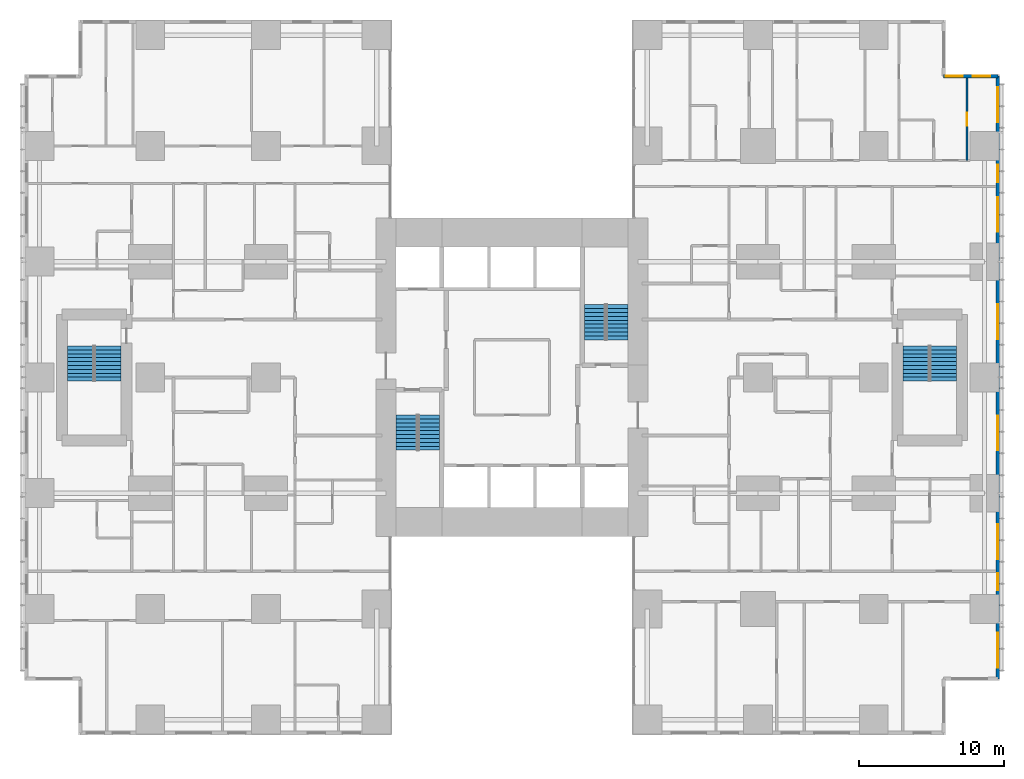
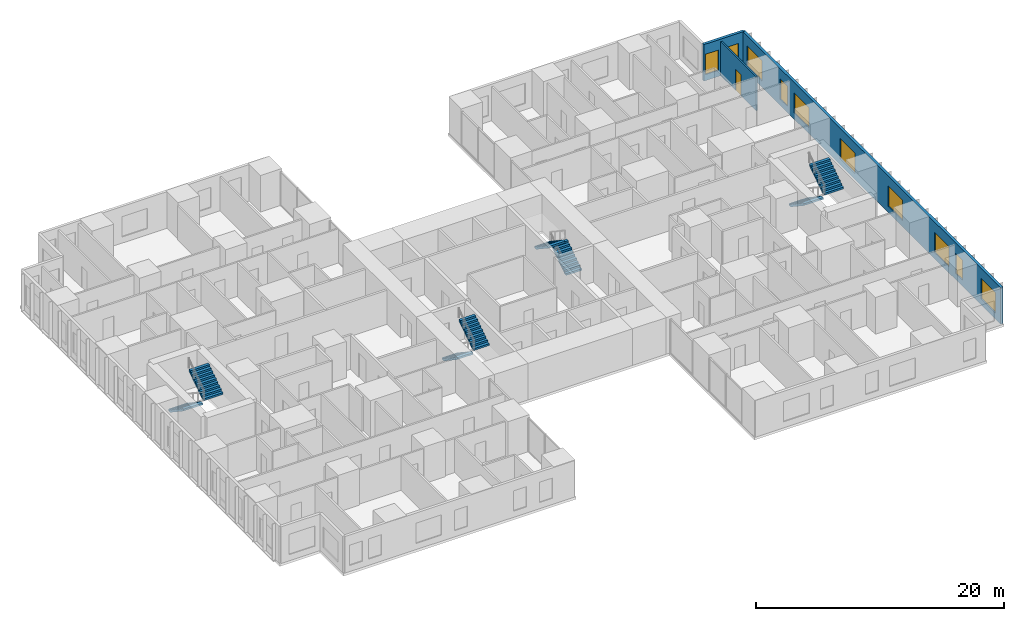
# One storey, part 19 of 20: 10 windows, 8 stair flights, 3 walls, 1 door, 11 openings, 4 elements without a shape of their own.
"""IFC4 building model written with IfcOpenShell, lengths in metres."""

from ifc_helpers import new_model, si_unit, direction, frame, frame_2d, origin, place, context, subcontext, project, spatial, polyline, rectangle, outline, extrude, material, layer, layer_set, type_object, element, fill, aggregate, save


model = new_model("IFC4")

# Units and contexts
model_context = context("Model", 3, precision=1e-05, world=origin(), true_north=direction((0.0, 1.0)))
body_context = subcontext(model_context, "Body", "Model", "MODEL_VIEW")
ifc_project = project(units=[si_unit("LENGTHUNIT", "METRE"), si_unit("AREAUNIT", "SQUARE_METRE"), si_unit("VOLUMEUNIT", "CUBIC_METRE"), si_unit("PLANEANGLEUNIT", "RADIAN"), si_unit("MASSUNIT", "GRAM", prefix="KILO")], contexts=[model_context])

# Site, building, storey
site_placement = place(None, origin())
site = spatial("IfcSite", under=ifc_project, at=site_placement, CompositionType="ELEMENT")
building_placement = place(site_placement, origin())
building = spatial("IfcBuilding", under=site, at=building_placement, Name="Cleftline Residences", CompositionType="ELEMENT")
storey_placement = place(building_placement, frame((0.0, 0.0, 62.0)))
storey = spatial("IfcBuildingStorey", under=building, at=storey_placement, Name="L15", CompositionType="ELEMENT", Elevation=62.0)

# Wall, openings, windows
ifc_material_1 = material(Name="Rendered reinforced concrete blockwork", Category="masonry")
ifc_layer_1 = layer(ifc_material_1, 0.25)
ifc_layer_set_1 = layer_set([ifc_layer_1], Name="EXTERNAL WALL 250")
wall_type_1 = type_object("IfcWallType", Name="EXTERNAL WALL 250", PredefinedType="SOLIDWALL", material=ifc_layer_set_1)
wall_1_placement = place(storey_placement, frame((66.574951171875, 3.175048828125, 0.0), z_axis=(0.0, 0.0, 1.0), x_axis=(0.0, 1.0, 0.0)))
wall_1 = element("IfcWall", 1, at=wall_1_placement, inside=storey, type_object=wall_type_1, Name="External wall", PredefinedType="SOLIDWALL", context=body_context, shape_type="SweptSolid", body=[
    extrude(rectangle(XDim=41.64990234375, YDim=0.25, at=frame_2d((20.824951171875, 0.0))), origin(), (0.0, 0.0, 1.0), 3.60009765625),
])
opening_1_placement = place(wall_1_placement, frame((0.77490234375, 0.0, 0.60009765625)))
opening_1 = element("IfcOpeningElement", 2, at=opening_1_placement, cuts=wall_1, Name="Opening W6", PredefinedType="OPENING", context=body_context, shape_type="SweptSolid", body=[
    extrude(rectangle(XDim=2.39990234375, YDim=2.0, at=frame_2d((1.199951171875, 1.0))), frame((0.0, 0.135009765625, 0.0), z_axis=(0.0, -1.0, 0.0), x_axis=(1.0, 0.0, 0.0)), (0.0, 0.0, 1.0), 0.27001953125),
])
opening_2_placement = place(wall_1_placement, frame((6.10009765625, 0.0, 0.60009765625)))
opening_2 = element("IfcOpeningElement", 3, at=opening_2_placement, cuts=wall_1, Name="Opening W8", PredefinedType="OPENING", context=body_context, shape_type="SweptSolid", body=[
    extrude(rectangle(XDim=1.199951171875, YDim=2.0, at=frame_2d((0.60009765625, 1.0))), frame((0.0, 0.135009765625, 0.0), z_axis=(0.0, -1.0, 0.0), x_axis=(1.0, 0.0, 0.0)), (0.0, 0.0, 1.0), 0.27001953125),
])
opening_3_placement = place(wall_1_placement, frame((8.27490234375, 0.0, 0.60009765625)))
opening_3 = element("IfcOpeningElement", 4, at=opening_3_placement, cuts=wall_1, Name="Opening W6", PredefinedType="OPENING", context=body_context, shape_type="SweptSolid", body=[
    extrude(rectangle(XDim=2.39990234375, YDim=2.0, at=frame_2d((1.199951171875, 1.0))), frame((0.0, 0.135009765625, 0.0), z_axis=(0.0, -1.0, 0.0), x_axis=(1.0, 0.0, 0.0)), (0.0, 0.0, 1.0), 0.27001953125),
])
opening_4_placement = place(wall_1_placement, frame((15.77490234375, 0.0, 0.60009765625)))
opening_4 = element("IfcOpeningElement", 5, at=opening_4_placement, cuts=wall_1, Name="Opening W6", PredefinedType="OPENING", context=body_context, shape_type="SweptSolid", body=[
    extrude(rectangle(XDim=2.39990234375, YDim=2.0, at=frame_2d((1.199951171875, 1.0))), frame((0.0, 0.135009765625, 0.0), z_axis=(0.0, -1.0, 0.0), x_axis=(1.0, 0.0, 0.0)), (0.0, 0.0, 1.0), 0.27001953125),
])
opening_5_placement = place(wall_1_placement, frame((23.47509765625, 0.0, 0.60009765625)))
opening_5 = element("IfcOpeningElement", 6, at=opening_5_placement, cuts=wall_1, Name="Opening W6", PredefinedType="OPENING", context=body_context, shape_type="SweptSolid", body=[
    extrude(rectangle(XDim=2.39990234375, YDim=2.0, at=frame_2d((1.199951171875, 1.0))), frame((0.0, 0.135009765625, 0.0), z_axis=(0.0, -1.0, 0.0), x_axis=(1.0, 0.0, 0.0)), (0.0, 0.0, 1.0), 0.27001953125),
])
opening_6_placement = place(wall_1_placement, frame((30.875, 0.0, 0.60009765625)))
opening_6 = element("IfcOpeningElement", 7, at=opening_6_placement, cuts=wall_1, Name="Opening W6", PredefinedType="OPENING", context=body_context, shape_type="SweptSolid", body=[
    extrude(rectangle(XDim=2.39990234375, YDim=2.0, at=frame_2d((1.199951171875, 1.0))), frame((0.0, 0.135009765625, 0.0), z_axis=(0.0, -1.0, 0.0), x_axis=(1.0, 0.0, 0.0)), (0.0, 0.0, 1.0), 0.27001953125),
])
opening_7_placement = place(wall_1_placement, frame((34.324951171875, 0.0, 0.60009765625)))
opening_7 = element("IfcOpeningElement", 8, at=opening_7_placement, cuts=wall_1, Name="Opening W8", PredefinedType="OPENING", context=body_context, shape_type="SweptSolid", body=[
    extrude(rectangle(XDim=1.199951171875, YDim=2.0, at=frame_2d((0.60009765625, 1.0))), frame((0.0, 0.135009765625, 0.0), z_axis=(0.0, -1.0, 0.0), x_axis=(1.0, 0.0, 0.0)), (0.0, 0.0, 1.0), 0.27001953125),
])
opening_8_placement = place(wall_1_placement, frame((38.47509765625, 0.0, 0.60009765625)))
opening_8 = element("IfcOpeningElement", 9, at=opening_8_placement, cuts=wall_1, Name="Opening W6", PredefinedType="OPENING", context=body_context, shape_type="SweptSolid", body=[
    extrude(rectangle(XDim=2.39990234375, YDim=2.0, at=frame_2d((1.199951171875, 1.0))), frame((0.0, 0.135009765625, 0.0), z_axis=(0.0, -1.0, 0.0), x_axis=(1.0, 0.0, 0.0)), (0.0, 0.0, 1.0), 0.27001953125),
])
ifc_material_2 = material(Name="Aluminium frame, clear double glazing", Category="aluminium")
window_type_1 = type_object("IfcWindowType", Name="WINDOW 1200X2000", PartitioningType="DOUBLE_PANEL_VERTICAL", PredefinedType="WINDOW", material=ifc_material_2)
window_1_placement = place(opening_2_placement, origin())
window_1 = element("IfcWindow", 10, at=window_1_placement, inside=storey, type_object=window_type_1, Name="Window", OverallHeight=2.0, OverallWidth=1.199951171875, PartitioningType="SINGLE_PANEL", PredefinedType="WINDOW", context=body_context, shape_type="SweptSolid", body=[
    extrude(rectangle(XDim=1.199951171875, YDim=2.0, at=frame_2d((0.60009765625, 1.0))), frame((0.0, 0.030029296875, 0.0), z_axis=(0.0, -1.0, 0.0), x_axis=(1.0, 0.0, 0.0)), (0.0, 0.0, 1.0), 0.06005859375),
])
fill(opening_2, window_1)
window_2_placement = place(opening_7_placement, origin())
window_2 = element("IfcWindow", 11, at=window_2_placement, inside=storey, type_object=window_type_1, Name="Window", OverallHeight=2.0, OverallWidth=1.199951171875, PartitioningType="SINGLE_PANEL", PredefinedType="WINDOW", context=body_context, shape_type="SweptSolid", body=[
    extrude(rectangle(XDim=1.199951171875, YDim=2.0, at=frame_2d((0.60009765625, 1.0))), frame((0.0, 0.030029296875, 0.0), z_axis=(0.0, -1.0, 0.0), x_axis=(1.0, 0.0, 0.0)), (0.0, 0.0, 1.0), 0.06005859375),
])
fill(opening_7, window_2)
ifc_material_3 = material(Name="Aluminium frame, clear double glazing", Category="aluminium")
window_type_2 = type_object("IfcWindowType", Name="WINDOW 2400X2000", PartitioningType="DOUBLE_PANEL_VERTICAL", PredefinedType="WINDOW", material=ifc_material_3)
window_3_placement = place(opening_1_placement, origin())
window_3 = element("IfcWindow", 12, at=window_3_placement, inside=storey, type_object=window_type_2, Name="Window", OverallHeight=2.0, OverallWidth=2.39990234375, PartitioningType="SINGLE_PANEL", PredefinedType="WINDOW", context=body_context, shape_type="SweptSolid", body=[
    extrude(rectangle(XDim=2.39990234375, YDim=2.0, at=frame_2d((1.199951171875, 1.0))), frame((0.0, 0.030029296875, 0.0), z_axis=(0.0, -1.0, 0.0), x_axis=(1.0, 0.0, 0.0)), (0.0, 0.0, 1.0), 0.06005859375),
])
fill(opening_1, window_3)
window_4_placement = place(opening_3_placement, origin())
window_4 = element("IfcWindow", 13, at=window_4_placement, inside=storey, type_object=window_type_2, Name="Window", OverallHeight=2.0, OverallWidth=2.39990234375, PartitioningType="SINGLE_PANEL", PredefinedType="WINDOW", context=body_context, shape_type="SweptSolid", body=[
    extrude(rectangle(XDim=2.39990234375, YDim=2.0, at=frame_2d((1.199951171875, 1.0))), frame((0.0, 0.030029296875, 0.0), z_axis=(0.0, -1.0, 0.0), x_axis=(1.0, 0.0, 0.0)), (0.0, 0.0, 1.0), 0.06005859375),
])
fill(opening_3, window_4)
window_5_placement = place(opening_4_placement, origin())
window_5 = element("IfcWindow", 14, at=window_5_placement, inside=storey, type_object=window_type_2, Name="Window", OverallHeight=2.0, OverallWidth=2.39990234375, PartitioningType="SINGLE_PANEL", PredefinedType="WINDOW", context=body_context, shape_type="SweptSolid", body=[
    extrude(rectangle(XDim=2.39990234375, YDim=2.0, at=frame_2d((1.199951171875, 1.0))), frame((0.0, 0.030029296875, 0.0), z_axis=(0.0, -1.0, 0.0), x_axis=(1.0, 0.0, 0.0)), (0.0, 0.0, 1.0), 0.06005859375),
])
fill(opening_4, window_5)
window_6_placement = place(opening_5_placement, origin())
window_6 = element("IfcWindow", 15, at=window_6_placement, inside=storey, type_object=window_type_2, Name="Window", OverallHeight=2.0, OverallWidth=2.39990234375, PartitioningType="SINGLE_PANEL", PredefinedType="WINDOW", context=body_context, shape_type="SweptSolid", body=[
    extrude(rectangle(XDim=2.39990234375, YDim=2.0, at=frame_2d((1.199951171875, 1.0))), frame((0.0, 0.030029296875, 0.0), z_axis=(0.0, -1.0, 0.0), x_axis=(1.0, 0.0, 0.0)), (0.0, 0.0, 1.0), 0.06005859375),
])
fill(opening_5, window_6)
window_7_placement = place(opening_6_placement, origin())
window_7 = element("IfcWindow", 16, at=window_7_placement, inside=storey, type_object=window_type_2, Name="Window", OverallHeight=2.0, OverallWidth=2.39990234375, PartitioningType="SINGLE_PANEL", PredefinedType="WINDOW", context=body_context, shape_type="SweptSolid", body=[
    extrude(rectangle(XDim=2.39990234375, YDim=2.0, at=frame_2d((1.199951171875, 1.0))), frame((0.0, 0.030029296875, 0.0), z_axis=(0.0, -1.0, 0.0), x_axis=(1.0, 0.0, 0.0)), (0.0, 0.0, 1.0), 0.06005859375),
])
fill(opening_6, window_7)
window_8_placement = place(opening_8_placement, origin())
window_8 = element("IfcWindow", 17, at=window_8_placement, inside=storey, type_object=window_type_2, Name="Window", OverallHeight=2.0, OverallWidth=2.39990234375, PartitioningType="SINGLE_PANEL", PredefinedType="WINDOW", context=body_context, shape_type="SweptSolid", body=[
    extrude(rectangle(XDim=2.39990234375, YDim=2.0, at=frame_2d((1.199951171875, 1.0))), frame((0.0, 0.030029296875, 0.0), z_axis=(0.0, -1.0, 0.0), x_axis=(1.0, 0.0, 0.0)), (0.0, 0.0, 1.0), 0.06005859375),
])
fill(opening_8, window_8)

wall_2_placement = place(storey_placement, frame((66.574951171875, 44.824951171875, 0.0), z_axis=(0.0, 0.0, 1.0), x_axis=(-1.0, 0.0, 0.0)))
wall_2 = element("IfcWall", 18, at=wall_2_placement, inside=storey, type_object=wall_type_1, Name="External wall", PredefinedType="SOLIDWALL", context=body_context, shape_type="SweptSolid", body=[
    extrude(rectangle(XDim=3.75, YDim=0.25, at=frame_2d((1.875, 0.0))), origin(), (0.0, 0.0, 1.0), 3.60009765625),
])
opening_9_placement = place(wall_2_placement, frame((0.52490234375, 0.0, 0.60009765625)))
opening_9 = element("IfcOpeningElement", 19, at=opening_9_placement, cuts=wall_2, Name="Opening W8", PredefinedType="OPENING", context=body_context, shape_type="SweptSolid", body=[
    extrude(rectangle(XDim=1.199951171875, YDim=2.0, at=frame_2d((0.60009765625, 1.0))), frame((0.0, 0.135009765625, 0.0), z_axis=(0.0, -1.0, 0.0), x_axis=(1.0, 0.0, 0.0)), (0.0, 0.0, 1.0), 0.27001953125),
])
opening_10_placement = place(wall_2_placement, frame((2.41259765625, 0.0, 0.60009765625)))
opening_10 = element("IfcOpeningElement", 20, at=opening_10_placement, cuts=wall_2, Name="Opening W8", PredefinedType="OPENING", context=body_context, shape_type="SweptSolid", body=[
    extrude(rectangle(XDim=1.199951171875, YDim=2.0, at=frame_2d((0.60009765625, 1.0))), frame((0.0, 0.135009765625, 0.0), z_axis=(0.0, -1.0, 0.0), x_axis=(1.0, 0.0, 0.0)), (0.0, 0.0, 1.0), 0.27001953125),
])
window_9_placement = place(opening_9_placement, origin())
window_9 = element("IfcWindow", 21, at=window_9_placement, inside=storey, type_object=window_type_1, Name="Window", OverallHeight=2.0, OverallWidth=1.199951171875, PartitioningType="SINGLE_PANEL", PredefinedType="WINDOW", context=body_context, shape_type="SweptSolid", body=[
    extrude(rectangle(XDim=1.199951171875, YDim=2.0, at=frame_2d((0.60009765625, 1.0))), frame((0.0, 0.030029296875, 0.0), z_axis=(0.0, -1.0, 0.0), x_axis=(1.0, 0.0, 0.0)), (0.0, 0.0, 1.0), 0.06005859375),
])
fill(opening_9, window_9)
window_10_placement = place(opening_10_placement, origin())
window_10 = element("IfcWindow", 22, at=window_10_placement, inside=storey, type_object=window_type_1, Name="Window", OverallHeight=2.0, OverallWidth=1.199951171875, PartitioningType="SINGLE_PANEL", PredefinedType="WINDOW", context=body_context, shape_type="SweptSolid", body=[
    extrude(rectangle(XDim=1.199951171875, YDim=2.0, at=frame_2d((0.60009765625, 1.0))), frame((0.0, 0.030029296875, 0.0), z_axis=(0.0, -1.0, 0.0), x_axis=(1.0, 0.0, 0.0)), (0.0, 0.0, 1.0), 0.06005859375),
])
fill(opening_10, window_10)

# Wall, opening, door
ifc_material_4 = material(Name="Gypsum board on steel studs", Category="steel")
ifc_layer_2 = layer(ifc_material_4, 0.14990234375)
ifc_layer_set_2 = layer_set([ifc_layer_2], Name="PARTITION 150")
wall_type_2 = type_object("IfcWallType", Name="PARTITION 150", PredefinedType="PARTITIONING", material=ifc_layer_set_2)
wall_3_placement = place(storey_placement, frame((64.449951171875, 39.0, 0.0), z_axis=(0.0, 0.0, 1.0), x_axis=(0.0, 1.0, 0.0)))
wall_3 = element("IfcWall", 23, at=wall_3_placement, inside=storey, type_object=wall_type_2, Name="Partition", PredefinedType="PARTITIONING", context=body_context, shape_type="SweptSolid", body=[
    extrude(rectangle(XDim=5.699951171875, YDim=0.14990234375, at=frame_2d((2.85009765625, 0.0))), origin(), (0.0, 0.0, 1.0), 3.35009765625),
])
opening_11_placement = place(wall_3_placement, frame((2.39990234375, 0.0, 0.0)))
opening_11 = element("IfcOpeningElement", 24, at=opening_11_placement, cuts=wall_3, Name="Opening D1", PredefinedType="OPENING", context=body_context, shape_type="SweptSolid", body=[
    extrude(rectangle(XDim=0.89990234375, YDim=2.10009765625, at=frame_2d((0.449951171875, 1.050048828125))), frame((0.0, 0.0849609375, 0.0), z_axis=(0.0, -1.0, 0.0), x_axis=(1.0, 0.0, 0.0)), (0.0, 0.0, 1.0), 0.169921875),
])
ifc_material_5 = material(Name="Timber veneer on solid core", Category="wood")
door_type = type_object("IfcDoorType", Name="DOOR 900X2100", OperationType="SINGLE_SWING_LEFT", PredefinedType="DOOR", material=ifc_material_5)
door_placement = place(opening_11_placement, origin())
door = element("IfcDoor", 25, at=door_placement, inside=storey, type_object=door_type, Name="Door to walk-in wardrobe", OperationType="SINGLE_SWING_LEFT", OverallHeight=2.10009765625, OverallWidth=0.89990234375, PredefinedType="DOOR", context=body_context, shape_type="SweptSolid", body=[
    extrude(rectangle(XDim=0.89990234375, YDim=2.10009765625, at=frame_2d((0.449951171875, 1.050048828125))), frame((0.0, 0.02490234375, 0.0), z_axis=(0.0, -1.0, 0.0), x_axis=(1.0, 0.0, 0.0)), (0.0, 0.0, 1.0), 0.050048828125),
])
fill(opening_11, door)

# Stair, stair flights
ifc_material_6 = material(Name="Concrete B45, stone treads", Category="masonry")
stair_type_1 = type_object("IfcStairType", Name="STAIR A 1450 WIDE 180 RISER", PredefinedType="HALF_TURN_STAIR", material=ifc_material_6)
stair_1_placement = place(storey_placement, origin())
stair_1 = element("IfcStair", 26, at=stair_1_placement, inside=storey, type_object=stair_type_1, Name="Stair A L15", PredefinedType="HALF_TURN_STAIR")
ifc_material_7 = material(Name="Concrete B45", Category="concrete")
stair_flight_type_1 = type_object("IfcStairFlightType", Name="STAIR A FLIGHT 1450X180", PredefinedType="STRAIGHT", material=ifc_material_7)
stair_flight_1_placement = place(storey_placement, frame((25.72509765625, 21.39990234375, 0.0), z_axis=(0.0, 0.0, 1.0), x_axis=(0.0, -1.0, 0.0)))
stair_flight_1 = element("IfcStairFlight", 27, at=stair_flight_1_placement, type_object=stair_flight_type_1, Name="ST-A flight 1", NumberOfRisers=10, NumberOfTreads=9, PredefinedType="STRAIGHT", RiserHeight=0.18, TreadLength=0.27, context=body_context, shape_type="SweptSolid", body=[
    extrude(outline(polyline([(0.0, 0.0), (0.0, 0.013916015625), (0.0, 0.027587890625), (0.0, 0.04150390625), (0.0, 0.055419921875), (0.0, 0.0693359375), (0.0, 0.0830078125), (0.0, 0.096923828125), (0.0, 0.11083984375), (0.0, 0.12451171875), (0.0, 0.138427734375), (0.0, 0.15234375), (0.0, 0.166259765625), (0.0, 0.179931640625), (0.27001953125, 0.179931640625), (0.27001953125, 0.360107421875), (0.5400390625, 0.360107421875), (0.5400390625, 0.5400390625), (0.81005859375, 0.5400390625), (0.81005859375, 0.719970703125), (1.080078125, 0.719970703125), (1.080078125, 0.89990234375), (1.35009765625, 0.89990234375), (1.35009765625, 1.080078125), (1.6201171875, 1.080078125), (1.6201171875, 1.260009765625), (1.889892578125, 1.260009765625), (1.889892578125, 1.43994140625), (2.159912109375, 1.43994140625), (2.159912109375, 1.6201171875), (2.429931640625, 1.6201171875), (2.429931640625, 1.800048828125), (2.429931640625, 1.772216796875), (2.429931640625, 1.74462890625), (2.429931640625, 1.716796875), (2.429931640625, 1.689208984375), (2.429931640625, 1.661376953125), (2.429931640625, 1.6337890625), (2.429931640625, 1.60595703125), (2.429931640625, 1.578369140625), (2.429931640625, 1.550537109375), (2.429931640625, 1.52294921875), (2.429931640625, 1.495361328125), (2.429931640625, 1.467529296875), (2.429931640625, 1.43994140625), (0.270263671875, 0.0), (0.0, 0.0)])), frame((0.0, 0.72509765625, 0.0), z_axis=(0.0, -1.0, 0.0), x_axis=(1.0, 0.0, 0.0)), (0.0, 0.0, 1.0), 1.449951171875),
])
stair_flight_2_placement = place(storey_placement, frame((27.27490234375, 18.969970703125, 1.800048828125), z_axis=(0.0, 0.0, 1.0), x_axis=(0.0, 1.0, 0.0)))
stair_flight_2 = element("IfcStairFlight", 28, at=stair_flight_2_placement, type_object=stair_flight_type_1, Name="ST-A flight 2", NumberOfRisers=10, NumberOfTreads=9, PredefinedType="STRAIGHT", RiserHeight=0.18, TreadLength=0.27, context=body_context, shape_type="SweptSolid", body=[
    extrude(outline(polyline([(0.0, 0.0), (0.0, 0.013916015625), (0.0, 0.027587890625), (0.0, 0.04150390625), (0.0, 0.055419921875), (0.0, 0.0693359375), (0.0, 0.0830078125), (0.0, 0.096923828125), (0.0, 0.11083984375), (0.0, 0.12451171875), (0.0, 0.138427734375), (0.0, 0.15234375), (0.0, 0.166259765625), (0.0, 0.179931640625), (0.27001953125, 0.179931640625), (0.27001953125, 0.360107421875), (0.5400390625, 0.360107421875), (0.5400390625, 0.5400390625), (0.81005859375, 0.5400390625), (0.81005859375, 0.719970703125), (1.080078125, 0.719970703125), (1.080078125, 0.89990234375), (1.35009765625, 0.89990234375), (1.35009765625, 1.080078125), (1.6201171875, 1.080078125), (1.6201171875, 1.260009765625), (1.889892578125, 1.260009765625), (1.889892578125, 1.43994140625), (2.159912109375, 1.43994140625), (2.159912109375, 1.6201171875), (2.429931640625, 1.6201171875), (2.429931640625, 1.800048828125), (2.429931640625, 1.772216796875), (2.429931640625, 1.74462890625), (2.429931640625, 1.716796875), (2.429931640625, 1.689208984375), (2.429931640625, 1.661376953125), (2.429931640625, 1.6337890625), (2.429931640625, 1.60595703125), (2.429931640625, 1.578369140625), (2.429931640625, 1.550537109375), (2.429931640625, 1.52294921875), (2.429931640625, 1.495361328125), (2.429931640625, 1.467529296875), (2.429931640625, 1.43994140625), (0.270263671875, 0.0), (0.0, 0.0)])), frame((0.0, 0.72509765625, 0.0), z_axis=(0.0, -1.0, 0.0), x_axis=(1.0, 0.0, 0.0)), (0.0, 0.0, 1.0), 1.449951171875),
])
aggregate(stair_1, [stair_flight_1, stair_flight_2])

ifc_material_8 = material(Name="Concrete B45, stone treads", Category="masonry")
stair_type_2 = type_object("IfcStairType", Name="STAIR B 1450 WIDE 180 RISER", PredefinedType="HALF_TURN_STAIR", material=ifc_material_8)
stair_2_placement = place(storey_placement, origin())
stair_2 = element("IfcStair", 29, at=stair_2_placement, inside=storey, type_object=stair_type_2, Name="Stair B L15", PredefinedType="HALF_TURN_STAIR")
ifc_material_9 = material(Name="Concrete B45", Category="concrete")
stair_flight_type_2 = type_object("IfcStairFlightType", Name="STAIR B FLIGHT 1450X180", PredefinedType="STRAIGHT", material=ifc_material_9)
stair_flight_3_placement = place(storey_placement, frame((40.27490234375, 26.60009765625, 0.0), z_axis=(0.0, 0.0, 1.0), x_axis=(0.0, 1.0, 0.0)))
stair_flight_3 = element("IfcStairFlight", 30, at=stair_flight_3_placement, type_object=stair_flight_type_2, Name="ST-B flight 1", NumberOfRisers=10, NumberOfTreads=9, PredefinedType="STRAIGHT", RiserHeight=0.18, TreadLength=0.27, context=body_context, shape_type="SweptSolid", body=[
    extrude(outline(polyline([(0.0, 0.0), (0.0, 0.013916015625), (0.0, 0.027587890625), (0.0, 0.04150390625), (0.0, 0.055419921875), (0.0, 0.0693359375), (0.0, 0.0830078125), (0.0, 0.096923828125), (0.0, 0.11083984375), (0.0, 0.12451171875), (0.0, 0.138427734375), (0.0, 0.15234375), (0.0, 0.166259765625), (0.0, 0.179931640625), (0.27001953125, 0.179931640625), (0.27001953125, 0.360107421875), (0.5400390625, 0.360107421875), (0.5400390625, 0.5400390625), (0.81005859375, 0.5400390625), (0.81005859375, 0.719970703125), (1.080078125, 0.719970703125), (1.080078125, 0.89990234375), (1.35009765625, 0.89990234375), (1.35009765625, 1.080078125), (1.6201171875, 1.080078125), (1.6201171875, 1.260009765625), (1.889892578125, 1.260009765625), (1.889892578125, 1.43994140625), (2.159912109375, 1.43994140625), (2.159912109375, 1.6201171875), (2.429931640625, 1.6201171875), (2.429931640625, 1.800048828125), (2.429931640625, 1.772216796875), (2.429931640625, 1.74462890625), (2.429931640625, 1.716796875), (2.429931640625, 1.689208984375), (2.429931640625, 1.661376953125), (2.429931640625, 1.6337890625), (2.429931640625, 1.60595703125), (2.429931640625, 1.578369140625), (2.429931640625, 1.550537109375), (2.429931640625, 1.52294921875), (2.429931640625, 1.495361328125), (2.429931640625, 1.467529296875), (2.429931640625, 1.43994140625), (0.270263671875, 0.0), (0.0, 0.0)])), frame((0.0, 0.72509765625, 0.0), z_axis=(0.0, -1.0, 0.0), x_axis=(1.0, 0.0, 0.0)), (0.0, 0.0, 1.0), 1.449951171875),
])
stair_flight_4_placement = place(storey_placement, frame((38.72509765625, 29.030029296875, 1.800048828125), z_axis=(0.0, 0.0, 1.0), x_axis=(0.0, -1.0, 0.0)))
stair_flight_4 = element("IfcStairFlight", 31, at=stair_flight_4_placement, type_object=stair_flight_type_2, Name="ST-B flight 2", NumberOfRisers=10, NumberOfTreads=9, PredefinedType="STRAIGHT", RiserHeight=0.18, TreadLength=0.27, context=body_context, shape_type="SweptSolid", body=[
    extrude(outline(polyline([(0.0, 0.0), (0.0, 0.013916015625), (0.0, 0.027587890625), (0.0, 0.04150390625), (0.0, 0.055419921875), (0.0, 0.0693359375), (0.0, 0.0830078125), (0.0, 0.096923828125), (0.0, 0.11083984375), (0.0, 0.12451171875), (0.0, 0.138427734375), (0.0, 0.15234375), (0.0, 0.166259765625), (0.0, 0.179931640625), (0.27001953125, 0.179931640625), (0.27001953125, 0.360107421875), (0.5400390625, 0.360107421875), (0.5400390625, 0.5400390625), (0.81005859375, 0.5400390625), (0.81005859375, 0.719970703125), (1.080078125, 0.719970703125), (1.080078125, 0.89990234375), (1.35009765625, 0.89990234375), (1.35009765625, 1.080078125), (1.6201171875, 1.080078125), (1.6201171875, 1.260009765625), (1.889892578125, 1.260009765625), (1.889892578125, 1.43994140625), (2.159912109375, 1.43994140625), (2.159912109375, 1.6201171875), (2.429931640625, 1.6201171875), (2.429931640625, 1.800048828125), (2.429931640625, 1.772216796875), (2.429931640625, 1.74462890625), (2.429931640625, 1.716796875), (2.429931640625, 1.689208984375), (2.429931640625, 1.661376953125), (2.429931640625, 1.6337890625), (2.429931640625, 1.60595703125), (2.429931640625, 1.578369140625), (2.429931640625, 1.550537109375), (2.429931640625, 1.52294921875), (2.429931640625, 1.495361328125), (2.429931640625, 1.467529296875), (2.429931640625, 1.43994140625), (0.270263671875, 0.0), (0.0, 0.0)])), frame((0.0, 0.72509765625, 0.0), z_axis=(0.0, -1.0, 0.0), x_axis=(1.0, 0.0, 0.0)), (0.0, 0.0, 1.0), 1.449951171875),
])
aggregate(stair_2, [stair_flight_3, stair_flight_4])

ifc_material_10 = material(Name="Concrete B45, stone treads", Category="masonry")
stair_type_3 = type_object("IfcStairType", Name="STAIR E 1800 WIDE 180 RISER", PredefinedType="HALF_TURN_STAIR", material=ifc_material_10)
stair_3_placement = place(storey_placement, origin())
stair_3 = element("IfcStair", 32, at=stair_3_placement, inside=storey, type_object=stair_type_3, Name="Stair E L15", PredefinedType="HALF_TURN_STAIR")
ifc_material_11 = material(Name="Concrete B45", Category="concrete")
stair_flight_type_3 = type_object("IfcStairFlightType", Name="STAIR E FLIGHT 1800X180", PredefinedType="STRAIGHT", material=ifc_material_11)
stair_flight_5_placement = place(storey_placement, frame((60.925048828125, 26.175048828125, 0.0), z_axis=(0.0, 0.0, 1.0), x_axis=(0.0, -1.0, 0.0)))
stair_flight_5 = element("IfcStairFlight", 33, at=stair_flight_5_placement, type_object=stair_flight_type_3, Name="ST-E flight 1", NumberOfRisers=10, NumberOfTreads=9, PredefinedType="STRAIGHT", RiserHeight=0.18, TreadLength=0.27, context=body_context, shape_type="SweptSolid", body=[
    extrude(outline(polyline([(0.0, 0.0), (0.0, 0.013916015625), (0.0, 0.027587890625), (0.0, 0.04150390625), (0.0, 0.055419921875), (0.0, 0.0693359375), (0.0, 0.0830078125), (0.0, 0.096923828125), (0.0, 0.11083984375), (0.0, 0.12451171875), (0.0, 0.138427734375), (0.0, 0.15234375), (0.0, 0.166259765625), (0.0, 0.179931640625), (0.27001953125, 0.179931640625), (0.27001953125, 0.360107421875), (0.5400390625, 0.360107421875), (0.5400390625, 0.5400390625), (0.81005859375, 0.5400390625), (0.81005859375, 0.719970703125), (1.080078125, 0.719970703125), (1.080078125, 0.89990234375), (1.35009765625, 0.89990234375), (1.35009765625, 1.080078125), (1.6201171875, 1.080078125), (1.6201171875, 1.260009765625), (1.889892578125, 1.260009765625), (1.889892578125, 1.43994140625), (2.159912109375, 1.43994140625), (2.159912109375, 1.6201171875), (2.429931640625, 1.6201171875), (2.429931640625, 1.800048828125), (2.429931640625, 1.772216796875), (2.429931640625, 1.74462890625), (2.429931640625, 1.716796875), (2.429931640625, 1.689208984375), (2.429931640625, 1.661376953125), (2.429931640625, 1.6337890625), (2.429931640625, 1.60595703125), (2.429931640625, 1.578369140625), (2.429931640625, 1.550537109375), (2.429931640625, 1.52294921875), (2.429931640625, 1.495361328125), (2.429931640625, 1.467529296875), (2.429931640625, 1.43994140625), (0.270263671875, 0.0), (0.0, 0.0)])), frame((0.0, 0.89990234375, 0.0), z_axis=(0.0, -1.0, 0.0), x_axis=(1.0, 0.0, 0.0)), (0.0, 0.0, 1.0), 1.800048828125),
])
stair_flight_6_placement = place(storey_placement, frame((62.824951171875, 23.7451171875, 1.800048828125), z_axis=(0.0, 0.0, 1.0), x_axis=(0.0, 1.0, 0.0)))
stair_flight_6 = element("IfcStairFlight", 34, at=stair_flight_6_placement, type_object=stair_flight_type_3, Name="ST-E flight 2", NumberOfRisers=10, NumberOfTreads=9, PredefinedType="STRAIGHT", RiserHeight=0.18, TreadLength=0.27, context=body_context, shape_type="SweptSolid", body=[
    extrude(outline(polyline([(0.0, 0.0), (0.0, 0.013916015625), (0.0, 0.027587890625), (0.0, 0.04150390625), (0.0, 0.055419921875), (0.0, 0.0693359375), (0.0, 0.0830078125), (0.0, 0.096923828125), (0.0, 0.11083984375), (0.0, 0.12451171875), (0.0, 0.138427734375), (0.0, 0.15234375), (0.0, 0.166259765625), (0.0, 0.179931640625), (0.27001953125, 0.179931640625), (0.27001953125, 0.360107421875), (0.5400390625, 0.360107421875), (0.5400390625, 0.5400390625), (0.81005859375, 0.5400390625), (0.81005859375, 0.719970703125), (1.080078125, 0.719970703125), (1.080078125, 0.89990234375), (1.35009765625, 0.89990234375), (1.35009765625, 1.080078125), (1.6201171875, 1.080078125), (1.6201171875, 1.260009765625), (1.889892578125, 1.260009765625), (1.889892578125, 1.43994140625), (2.159912109375, 1.43994140625), (2.159912109375, 1.6201171875), (2.429931640625, 1.6201171875), (2.429931640625, 1.800048828125), (2.429931640625, 1.772216796875), (2.429931640625, 1.74462890625), (2.429931640625, 1.716796875), (2.429931640625, 1.689208984375), (2.429931640625, 1.661376953125), (2.429931640625, 1.6337890625), (2.429931640625, 1.60595703125), (2.429931640625, 1.578369140625), (2.429931640625, 1.550537109375), (2.429931640625, 1.52294921875), (2.429931640625, 1.495361328125), (2.429931640625, 1.467529296875), (2.429931640625, 1.43994140625), (0.270263671875, 0.0), (0.0, 0.0)])), frame((0.0, 0.89990234375, 0.0), z_axis=(0.0, -1.0, 0.0), x_axis=(1.0, 0.0, 0.0)), (0.0, 0.0, 1.0), 1.800048828125),
])
aggregate(stair_3, [stair_flight_5, stair_flight_6])

ifc_material_12 = material(Name="Concrete B45, stone treads", Category="masonry")
stair_type_4 = type_object("IfcStairType", Name="STAIR W 1800 WIDE 180 RISER", PredefinedType="HALF_TURN_STAIR", material=ifc_material_12)
stair_4_placement = place(storey_placement, origin())
stair_4 = element("IfcStair", 35, at=stair_4_placement, inside=storey, type_object=stair_type_4, Name="Stair W L15", PredefinedType="HALF_TURN_STAIR")
ifc_material_13 = material(Name="Concrete B45", Category="concrete")
stair_flight_type_4 = type_object("IfcStairFlightType", Name="STAIR W FLIGHT 1800X180", PredefinedType="STRAIGHT", material=ifc_material_13)
stair_flight_7_placement = place(storey_placement, frame((3.175048828125, 26.175048828125, 0.0), z_axis=(0.0, 0.0, 1.0), x_axis=(0.0, -1.0, 0.0)))
stair_flight_7 = element("IfcStairFlight", 36, at=stair_flight_7_placement, type_object=stair_flight_type_4, Name="ST-W flight 1", NumberOfRisers=10, NumberOfTreads=9, PredefinedType="STRAIGHT", RiserHeight=0.18, TreadLength=0.27, context=body_context, shape_type="SweptSolid", body=[
    extrude(outline(polyline([(0.0, 0.0), (0.0, 0.013916015625), (0.0, 0.027587890625), (0.0, 0.04150390625), (0.0, 0.055419921875), (0.0, 0.0693359375), (0.0, 0.0830078125), (0.0, 0.096923828125), (0.0, 0.11083984375), (0.0, 0.12451171875), (0.0, 0.138427734375), (0.0, 0.15234375), (0.0, 0.166259765625), (0.0, 0.179931640625), (0.27001953125, 0.179931640625), (0.27001953125, 0.360107421875), (0.5400390625, 0.360107421875), (0.5400390625, 0.5400390625), (0.81005859375, 0.5400390625), (0.81005859375, 0.719970703125), (1.080078125, 0.719970703125), (1.080078125, 0.89990234375), (1.35009765625, 0.89990234375), (1.35009765625, 1.080078125), (1.6201171875, 1.080078125), (1.6201171875, 1.260009765625), (1.889892578125, 1.260009765625), (1.889892578125, 1.43994140625), (2.159912109375, 1.43994140625), (2.159912109375, 1.6201171875), (2.429931640625, 1.6201171875), (2.429931640625, 1.800048828125), (2.429931640625, 1.772216796875), (2.429931640625, 1.74462890625), (2.429931640625, 1.716796875), (2.429931640625, 1.689208984375), (2.429931640625, 1.661376953125), (2.429931640625, 1.6337890625), (2.429931640625, 1.60595703125), (2.429931640625, 1.578369140625), (2.429931640625, 1.550537109375), (2.429931640625, 1.52294921875), (2.429931640625, 1.495361328125), (2.429931640625, 1.467529296875), (2.429931640625, 1.43994140625), (0.270263671875, 0.0), (0.0, 0.0)])), frame((0.0, 0.89990234375, 0.0), z_axis=(0.0, -1.0, 0.0), x_axis=(1.0, 0.0, 0.0)), (0.0, 0.0, 1.0), 1.800048828125),
])
stair_flight_8_placement = place(storey_placement, frame((5.074951171875, 23.7451171875, 1.800048828125), z_axis=(0.0, 0.0, 1.0), x_axis=(0.0, 1.0, 0.0)))
stair_flight_8 = element("IfcStairFlight", 37, at=stair_flight_8_placement, type_object=stair_flight_type_4, Name="ST-W flight 2", NumberOfRisers=10, NumberOfTreads=9, PredefinedType="STRAIGHT", RiserHeight=0.18, TreadLength=0.27, context=body_context, shape_type="SweptSolid", body=[
    extrude(outline(polyline([(0.0, 0.0), (0.0, 0.013916015625), (0.0, 0.027587890625), (0.0, 0.04150390625), (0.0, 0.055419921875), (0.0, 0.0693359375), (0.0, 0.0830078125), (0.0, 0.096923828125), (0.0, 0.11083984375), (0.0, 0.12451171875), (0.0, 0.138427734375), (0.0, 0.15234375), (0.0, 0.166259765625), (0.0, 0.179931640625), (0.27001953125, 0.179931640625), (0.27001953125, 0.360107421875), (0.5400390625, 0.360107421875), (0.5400390625, 0.5400390625), (0.81005859375, 0.5400390625), (0.81005859375, 0.719970703125), (1.080078125, 0.719970703125), (1.080078125, 0.89990234375), (1.35009765625, 0.89990234375), (1.35009765625, 1.080078125), (1.6201171875, 1.080078125), (1.6201171875, 1.260009765625), (1.889892578125, 1.260009765625), (1.889892578125, 1.43994140625), (2.159912109375, 1.43994140625), (2.159912109375, 1.6201171875), (2.429931640625, 1.6201171875), (2.429931640625, 1.800048828125), (2.429931640625, 1.772216796875), (2.429931640625, 1.74462890625), (2.429931640625, 1.716796875), (2.429931640625, 1.689208984375), (2.429931640625, 1.661376953125), (2.429931640625, 1.6337890625), (2.429931640625, 1.60595703125), (2.429931640625, 1.578369140625), (2.429931640625, 1.550537109375), (2.429931640625, 1.52294921875), (2.429931640625, 1.495361328125), (2.429931640625, 1.467529296875), (2.429931640625, 1.43994140625), (0.270263671875, 0.0), (0.0, 0.0)])), frame((0.0, 0.89990234375, 0.0), z_axis=(0.0, -1.0, 0.0), x_axis=(1.0, 0.0, 0.0)), (0.0, 0.0, 1.0), 1.800048828125),
])
aggregate(stair_4, [stair_flight_7, stair_flight_8])

save(model, "model.ifc")
